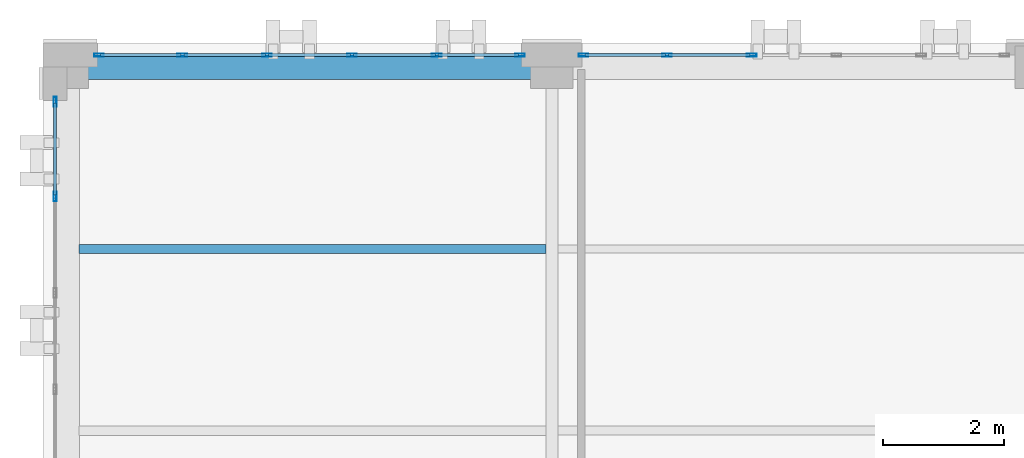
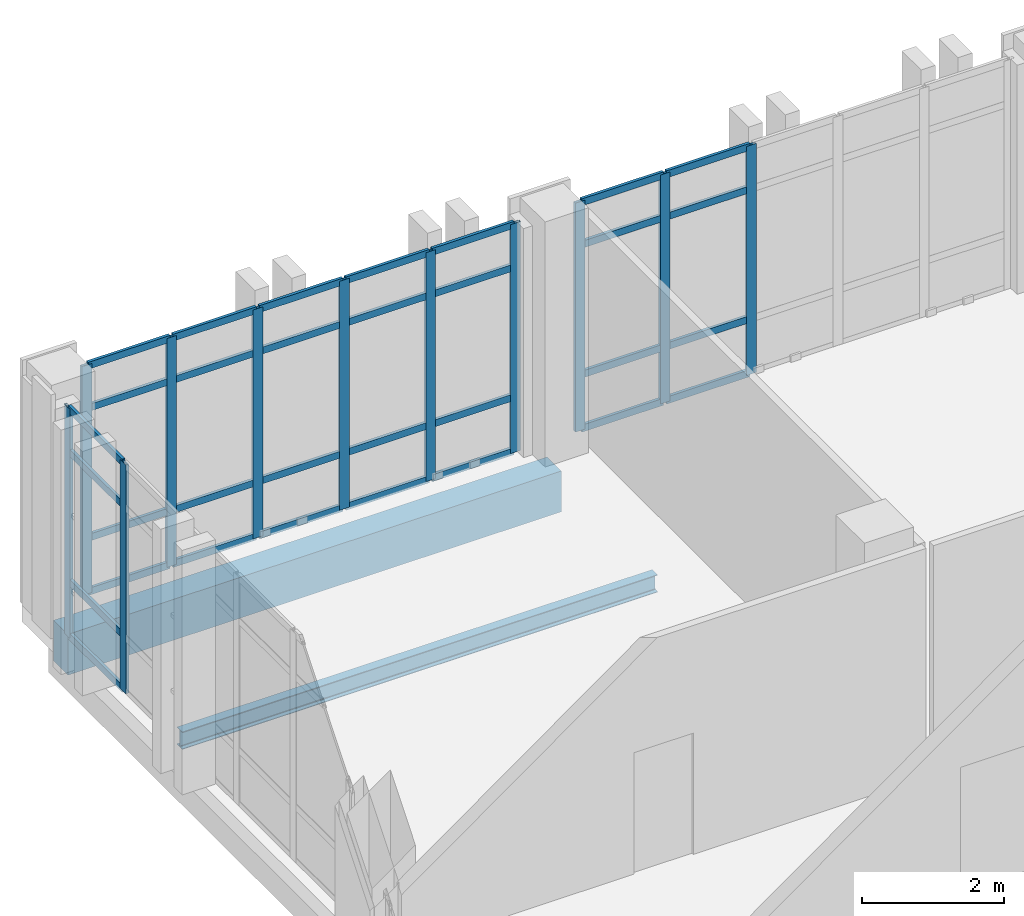
# One storey, part 87 of 158: 43 members, 2 beams, 3 elements without a shape of their own.
"""IFC4 building model written with IfcOpenShell, lengths in metres."""

from ifc_helpers import new_model, si_unit, direction, frame, origin, origin_2d, place, context, subcontext, project, spatial, rectangle, hollow_rectangle, i_section, extrude, material, layer, layer_set, material_profile, profile_set, type_object, element, aggregate, save


model = new_model("IFC4")

# Units and contexts
model_context = context("Model", 3, precision=1e-05, world=origin(), true_north=direction((0.0, 1.0)))
body_context = subcontext(model_context, "Body", "Model", "MODEL_VIEW")
ifc_project = project(units=[si_unit("LENGTHUNIT", "METRE"), si_unit("AREAUNIT", "SQUARE_METRE"), si_unit("VOLUMEUNIT", "CUBIC_METRE"), si_unit("PLANEANGLEUNIT", "RADIAN"), si_unit("MASSUNIT", "GRAM", prefix="KILO")], contexts=[model_context])

# Site, building, storey
site_placement = place(None, origin())
site = spatial("IfcSite", under=ifc_project, at=site_placement, CompositionType="ELEMENT")
building_placement = place(site_placement, origin())
building = spatial("IfcBuilding", under=site, at=building_placement, Name="Qalavern Law Courts", CompositionType="ELEMENT")
storey_placement = place(building_placement, frame((0.0, 0.0, 18.60009765625)))
storey = spatial("IfcBuildingStorey", under=building, at=storey_placement, Name="L04", CompositionType="ELEMENT", Elevation=18.60009765625)

# Curtain wall, members
ifc_material_1 = material(Name="Anodised aluminium and insulated glazing", Category="aluminium")
ifc_layer = layer(ifc_material_1, 0.166015625)
ifc_layer_set = layer_set([ifc_layer], Name="Anodised aluminium and insulated glazing")
curtain_wall_type = type_object("IfcCurtainWallType", Name="ENV-CW-LIB", PredefinedType="USERDEFINED", material=ifc_layer_set)
curtain_wall_1_placement = place(storey_placement, origin())
curtain_wall_1 = element("IfcCurtainWall", 1, at=curtain_wall_1_placement, inside=storey, type_object=curtain_wall_type, Name="V5 unitised curtain wall L04 north 6", ObjectType="UNITISED CURTAIN WALL", PredefinedType="USERDEFINED")
ifc_material_2 = material(Name="Anodised aluminium", Category="aluminium")
ifc_material_profile_1 = material_profile(ifc_material_2, hollow_rectangle(XDim=0.048095703125, YDim=0.159912109375, WallThickness=0.00390625, at=origin_2d()), Name="ALU MULLION 48x160")
ifc_profile_set_1 = profile_set([ifc_material_profile_1], Name="Anodised aluminium")
member_type_1 = type_object("IfcMemberType", Name="ENV-CWM-48x160", PredefinedType="MULLION", material=ifc_profile_set_1)
member_1_placement = place(storey_placement, frame((13.699951171875, 112.800048828125, 0.0), z_axis=(0.0, 0.0, 1.0), x_axis=(0.0, -1.0, 0.0)))
member_1 = element("IfcMember", 2, at=member_1_placement, type_object=member_type_1, Name="CW-05 mullion 4", PredefinedType="MULLION", context=body_context, shape_type="SweptSolid", body=[
    extrude(hollow_rectangle(XDim=0.048095703125, YDim=0.159912109375, WallThickness=0.00390625, at=origin_2d()), origin(), (0.0, 0.0, 1.0), 3.9248046875),
])
member_2_placement = place(storey_placement, frame((12.300048828125, 112.800048828125, 0.0), z_axis=(0.0, 0.0, 1.0), x_axis=(0.0, -1.0, 0.0)))
member_2 = element("IfcMember", 3, at=member_2_placement, type_object=member_type_1, Name="CW-05 mullion 5", PredefinedType="MULLION", context=body_context, shape_type="SweptSolid", body=[
    extrude(hollow_rectangle(XDim=0.048095703125, YDim=0.159912109375, WallThickness=0.00390625, at=origin_2d()), origin(), (0.0, 0.0, 1.0), 3.9248046875),
])
member_3_placement = place(storey_placement, frame((10.924072265625, 112.800048828125, 0.0), z_axis=(0.0, 0.0, 1.0), x_axis=(0.0, -1.0, 0.0)))
member_3 = element("IfcMember", 4, at=member_3_placement, type_object=member_type_1, Name="CW-05 mullion 6", PredefinedType="MULLION", context=body_context, shape_type="SweptSolid", body=[
    extrude(hollow_rectangle(XDim=0.048095703125, YDim=0.159912109375, WallThickness=0.00390625, at=origin_2d()), origin(), (0.0, 0.0, 1.0), 3.9248046875),
])

curtain_wall_2_placement = place(storey_placement, origin())
curtain_wall_2 = element("IfcCurtainWall", 5, at=curtain_wall_2_placement, inside=storey, type_object=curtain_wall_type, Name="V5 unitised curtain wall L04 north 7", ObjectType="UNITISED CURTAIN WALL", PredefinedType="USERDEFINED")
member_4_placement = place(storey_placement, frame((9.8759765625, 112.800048828125, 0.0), z_axis=(0.0, 0.0, 1.0), x_axis=(0.0, -1.0, 0.0)))
member_4 = element("IfcMember", 6, at=member_4_placement, type_object=member_type_1, Name="CW-05 mullion 1", PredefinedType="MULLION", context=body_context, shape_type="SweptSolid", body=[
    extrude(hollow_rectangle(XDim=0.048095703125, YDim=0.159912109375, WallThickness=0.00390625, at=origin_2d()), origin(), (0.0, 0.0, 1.0), 3.9248046875),
])
member_5_placement = place(storey_placement, frame((8.5, 112.800048828125, 0.0), z_axis=(0.0, 0.0, 1.0), x_axis=(0.0, -1.0, 0.0)))
member_5 = element("IfcMember", 7, at=member_5_placement, type_object=member_type_1, Name="CW-05 mullion 2", PredefinedType="MULLION", context=body_context, shape_type="SweptSolid", body=[
    extrude(hollow_rectangle(XDim=0.048095703125, YDim=0.159912109375, WallThickness=0.00390625, at=origin_2d()), origin(), (0.0, 0.0, 1.0), 3.9248046875),
])
member_6_placement = place(storey_placement, frame((7.10009765625, 112.800048828125, 0.0), z_axis=(0.0, 0.0, 1.0), x_axis=(0.0, -1.0, 0.0)))
member_6 = element("IfcMember", 8, at=member_6_placement, type_object=member_type_1, Name="CW-05 mullion 3", PredefinedType="MULLION", context=body_context, shape_type="SweptSolid", body=[
    extrude(hollow_rectangle(XDim=0.048095703125, YDim=0.159912109375, WallThickness=0.00390625, at=origin_2d()), origin(), (0.0, 0.0, 1.0), 3.9248046875),
])
member_7_placement = place(storey_placement, frame((5.699951171875, 112.800048828125, 0.0), z_axis=(0.0, 0.0, 1.0), x_axis=(0.0, -1.0, 0.0)))
member_7 = element("IfcMember", 9, at=member_7_placement, type_object=member_type_1, Name="CW-05 mullion 4", PredefinedType="MULLION", context=body_context, shape_type="SweptSolid", body=[
    extrude(hollow_rectangle(XDim=0.048095703125, YDim=0.159912109375, WallThickness=0.00390625, at=origin_2d()), origin(), (0.0, 0.0, 1.0), 3.9248046875),
])
member_8_placement = place(storey_placement, frame((4.300048828125, 112.800048828125, 0.0), z_axis=(0.0, 0.0, 1.0), x_axis=(0.0, -1.0, 0.0)))
member_8 = element("IfcMember", 10, at=member_8_placement, type_object=member_type_1, Name="CW-05 mullion 5", PredefinedType="MULLION", context=body_context, shape_type="SweptSolid", body=[
    extrude(hollow_rectangle(XDim=0.048095703125, YDim=0.159912109375, WallThickness=0.00390625, at=origin_2d()), origin(), (0.0, 0.0, 1.0), 3.9248046875),
])
member_9_placement = place(storey_placement, frame((2.924072265625, 112.800048828125, 0.0), z_axis=(0.0, 0.0, 1.0), x_axis=(0.0, -1.0, 0.0)))
member_9 = element("IfcMember", 11, at=member_9_placement, type_object=member_type_1, Name="CW-05 mullion 6", PredefinedType="MULLION", context=body_context, shape_type="SweptSolid", body=[
    extrude(hollow_rectangle(XDim=0.048095703125, YDim=0.159912109375, WallThickness=0.00390625, at=origin_2d()), origin(), (0.0, 0.0, 1.0), 3.9248046875),
])

curtain_wall_3_placement = place(storey_placement, origin())
curtain_wall_3 = element("IfcCurtainWall", 12, at=curtain_wall_3_placement, inside=storey, type_object=curtain_wall_type, Name="V5 unitised curtain wall L04 west 1", ObjectType="UNITISED CURTAIN WALL", PredefinedType="USERDEFINED")
member_10_placement = place(storey_placement, frame((2.199951171875, 112.031005859375, 0.0), z_axis=(0.0, 0.0, 1.0), x_axis=(1.0, 0.0, 0.0)))
member_10 = element("IfcMember", 13, at=member_10_placement, type_object=member_type_1, Name="CW-05 mullion 1", PredefinedType="MULLION", context=body_context, shape_type="SweptSolid", body=[
    extrude(hollow_rectangle(XDim=0.048095703125, YDim=0.159912109375, WallThickness=0.00390625, at=origin_2d()), origin(), (0.0, 0.0, 1.0), 3.9248046875),
])
member_11_placement = place(storey_placement, frame((2.199951171875, 110.464111328125, 0.0), z_axis=(0.0, 0.0, 1.0), x_axis=(1.0, 0.0, 0.0)))
member_11 = element("IfcMember", 14, at=member_11_placement, type_object=member_type_1, Name="CW-05 mullion 2", PredefinedType="MULLION", context=body_context, shape_type="SweptSolid", body=[
    extrude(hollow_rectangle(XDim=0.048095703125, YDim=0.159912109375, WallThickness=0.00390625, at=origin_2d()), origin(), (0.0, 0.0, 1.0), 3.9248046875),
])

# Member
ifc_material_profile_2 = material_profile(ifc_material_2, hollow_rectangle(XDim=0.048095703125, YDim=0.1201171875, WallThickness=0.00390625, at=origin_2d()), Name="ALU TRANSOM 48x120")
ifc_profile_set_2 = profile_set([ifc_material_profile_2], Name="Anodised aluminium")
member_type_2 = type_object("IfcMemberType", Name="ENV-CWT-48x120", PredefinedType="USERDEFINED", material=ifc_profile_set_2)
member_12_placement = place(storey_placement, frame((13.676025390625, 112.800048828125, 0.02392578125), z_axis=(-1.0, 0.0, 0.0), x_axis=(0.0, -1.0, 0.0)))
member_12 = element("IfcMember", 15, at=member_12_placement, type_object=member_type_2, Name="CW-05 transom 4.1", ObjectType="TRANSOM", PredefinedType="USERDEFINED", context=body_context, shape_type="SweptSolid", body=[
    extrude(hollow_rectangle(XDim=0.048095703125, YDim=0.1201171875, WallThickness=0.00390625, at=origin_2d()), origin(), (0.0, 0.0, 1.0), 1.35205078125),
])

member_13_placement = place(storey_placement, frame((13.676025390625, 112.800048828125, 0.949951171875), z_axis=(-1.0, 0.0, 0.0), x_axis=(0.0, -1.0, 0.0)))
member_13 = element("IfcMember", 16, at=member_13_placement, type_object=member_type_2, Name="CW-05 transom 4.2", ObjectType="TRANSOM", PredefinedType="USERDEFINED", context=body_context, shape_type="SweptSolid", body=[
    extrude(hollow_rectangle(XDim=0.048095703125, YDim=0.1201171875, WallThickness=0.00390625, at=origin_2d()), origin(), (0.0, 0.0, 1.0), 1.35205078125),
])

member_14_placement = place(storey_placement, frame((13.676025390625, 112.800048828125, 3.1748046875), z_axis=(-1.0, 0.0, 0.0), x_axis=(0.0, -1.0, 0.0)))
member_14 = element("IfcMember", 17, at=member_14_placement, type_object=member_type_2, Name="CW-05 transom 4.3", ObjectType="TRANSOM", PredefinedType="USERDEFINED", context=body_context, shape_type="SweptSolid", body=[
    extrude(hollow_rectangle(XDim=0.048095703125, YDim=0.1201171875, WallThickness=0.00390625, at=origin_2d()), origin(), (0.0, 0.0, 1.0), 1.35205078125),
])

member_15_placement = place(storey_placement, frame((13.676025390625, 112.800048828125, 3.90087890625), z_axis=(-1.0, 0.0, 0.0), x_axis=(0.0, -1.0, 0.0)))
member_15 = element("IfcMember", 18, at=member_15_placement, type_object=member_type_2, Name="CW-05 transom 4.4", ObjectType="TRANSOM", PredefinedType="USERDEFINED", context=body_context, shape_type="SweptSolid", body=[
    extrude(hollow_rectangle(XDim=0.048095703125, YDim=0.1201171875, WallThickness=0.00390625, at=origin_2d()), origin(), (0.0, 0.0, 1.0), 1.35205078125),
])

member_16_placement = place(storey_placement, frame((12.27587890625, 112.800048828125, 0.02392578125), z_axis=(-1.0, 0.0, 0.0), x_axis=(0.0, -1.0, 0.0)))
member_16 = element("IfcMember", 19, at=member_16_placement, type_object=member_type_2, Name="CW-05 transom 5.1", ObjectType="TRANSOM", PredefinedType="USERDEFINED", context=body_context, shape_type="SweptSolid", body=[
    extrude(hollow_rectangle(XDim=0.048095703125, YDim=0.1201171875, WallThickness=0.00390625, at=origin_2d()), origin(), (0.0, 0.0, 1.0), 1.327880859375),
])

member_17_placement = place(storey_placement, frame((12.27587890625, 112.800048828125, 0.949951171875), z_axis=(-1.0, 0.0, 0.0), x_axis=(0.0, -1.0, 0.0)))
member_17 = element("IfcMember", 20, at=member_17_placement, type_object=member_type_2, Name="CW-05 transom 5.2", ObjectType="TRANSOM", PredefinedType="USERDEFINED", context=body_context, shape_type="SweptSolid", body=[
    extrude(hollow_rectangle(XDim=0.048095703125, YDim=0.1201171875, WallThickness=0.00390625, at=origin_2d()), origin(), (0.0, 0.0, 1.0), 1.327880859375),
])

member_18_placement = place(storey_placement, frame((12.27587890625, 112.800048828125, 3.1748046875), z_axis=(-1.0, 0.0, 0.0), x_axis=(0.0, -1.0, 0.0)))
member_18 = element("IfcMember", 21, at=member_18_placement, type_object=member_type_2, Name="CW-05 transom 5.3", ObjectType="TRANSOM", PredefinedType="USERDEFINED", context=body_context, shape_type="SweptSolid", body=[
    extrude(hollow_rectangle(XDim=0.048095703125, YDim=0.1201171875, WallThickness=0.00390625, at=origin_2d()), origin(), (0.0, 0.0, 1.0), 1.327880859375),
])

member_19_placement = place(storey_placement, frame((12.27587890625, 112.800048828125, 3.90087890625), z_axis=(-1.0, 0.0, 0.0), x_axis=(0.0, -1.0, 0.0)))
member_19 = element("IfcMember", 22, at=member_19_placement, type_object=member_type_2, Name="CW-05 transom 5.4", ObjectType="TRANSOM", PredefinedType="USERDEFINED", context=body_context, shape_type="SweptSolid", body=[
    extrude(hollow_rectangle(XDim=0.048095703125, YDim=0.1201171875, WallThickness=0.00390625, at=origin_2d()), origin(), (0.0, 0.0, 1.0), 1.327880859375),
])

aggregate(curtain_wall_1, [member_1, member_2, member_3, member_12, member_13, member_14, member_15, member_16, member_17, member_18, member_19])

member_20_placement = place(storey_placement, frame((9.85205078125, 112.800048828125, 0.02392578125), z_axis=(-1.0, 0.0, 0.0), x_axis=(0.0, -1.0, 0.0)))
member_20 = element("IfcMember", 23, at=member_20_placement, type_object=member_type_2, Name="CW-05 transom 1.1", ObjectType="TRANSOM", PredefinedType="USERDEFINED", context=body_context, shape_type="SweptSolid", body=[
    extrude(hollow_rectangle(XDim=0.048095703125, YDim=0.1201171875, WallThickness=0.00390625, at=origin_2d()), origin(), (0.0, 0.0, 1.0), 1.328125),
])

member_21_placement = place(storey_placement, frame((9.85205078125, 112.800048828125, 0.949951171875), z_axis=(-1.0, 0.0, 0.0), x_axis=(0.0, -1.0, 0.0)))
member_21 = element("IfcMember", 24, at=member_21_placement, type_object=member_type_2, Name="CW-05 transom 1.2", ObjectType="TRANSOM", PredefinedType="USERDEFINED", context=body_context, shape_type="SweptSolid", body=[
    extrude(hollow_rectangle(XDim=0.048095703125, YDim=0.1201171875, WallThickness=0.00390625, at=origin_2d()), origin(), (0.0, 0.0, 1.0), 1.328125),
])

member_22_placement = place(storey_placement, frame((9.85205078125, 112.800048828125, 3.1748046875), z_axis=(-1.0, 0.0, 0.0), x_axis=(0.0, -1.0, 0.0)))
member_22 = element("IfcMember", 25, at=member_22_placement, type_object=member_type_2, Name="CW-05 transom 1.3", ObjectType="TRANSOM", PredefinedType="USERDEFINED", context=body_context, shape_type="SweptSolid", body=[
    extrude(hollow_rectangle(XDim=0.048095703125, YDim=0.1201171875, WallThickness=0.00390625, at=origin_2d()), origin(), (0.0, 0.0, 1.0), 1.328125),
])

member_23_placement = place(storey_placement, frame((9.85205078125, 112.800048828125, 3.90087890625), z_axis=(-1.0, 0.0, 0.0), x_axis=(0.0, -1.0, 0.0)))
member_23 = element("IfcMember", 26, at=member_23_placement, type_object=member_type_2, Name="CW-05 transom 1.4", ObjectType="TRANSOM", PredefinedType="USERDEFINED", context=body_context, shape_type="SweptSolid", body=[
    extrude(hollow_rectangle(XDim=0.048095703125, YDim=0.1201171875, WallThickness=0.00390625, at=origin_2d()), origin(), (0.0, 0.0, 1.0), 1.328125),
])

member_24_placement = place(storey_placement, frame((8.47607421875, 112.800048828125, 0.02392578125), z_axis=(-1.0, 0.0, 0.0), x_axis=(0.0, -1.0, 0.0)))
member_24 = element("IfcMember", 27, at=member_24_placement, type_object=member_type_2, Name="CW-05 transom 2.1", ObjectType="TRANSOM", PredefinedType="USERDEFINED", context=body_context, shape_type="SweptSolid", body=[
    extrude(hollow_rectangle(XDim=0.048095703125, YDim=0.1201171875, WallThickness=0.00390625, at=origin_2d()), origin(), (0.0, 0.0, 1.0), 1.35205078125),
])

member_25_placement = place(storey_placement, frame((8.47607421875, 112.800048828125, 0.949951171875), z_axis=(-1.0, 0.0, 0.0), x_axis=(0.0, -1.0, 0.0)))
member_25 = element("IfcMember", 28, at=member_25_placement, type_object=member_type_2, Name="CW-05 transom 2.2", ObjectType="TRANSOM", PredefinedType="USERDEFINED", context=body_context, shape_type="SweptSolid", body=[
    extrude(hollow_rectangle(XDim=0.048095703125, YDim=0.1201171875, WallThickness=0.00390625, at=origin_2d()), origin(), (0.0, 0.0, 1.0), 1.35205078125),
])

member_26_placement = place(storey_placement, frame((8.47607421875, 112.800048828125, 3.1748046875), z_axis=(-1.0, 0.0, 0.0), x_axis=(0.0, -1.0, 0.0)))
member_26 = element("IfcMember", 29, at=member_26_placement, type_object=member_type_2, Name="CW-05 transom 2.3", ObjectType="TRANSOM", PredefinedType="USERDEFINED", context=body_context, shape_type="SweptSolid", body=[
    extrude(hollow_rectangle(XDim=0.048095703125, YDim=0.1201171875, WallThickness=0.00390625, at=origin_2d()), origin(), (0.0, 0.0, 1.0), 1.35205078125),
])

member_27_placement = place(storey_placement, frame((8.47607421875, 112.800048828125, 3.90087890625), z_axis=(-1.0, 0.0, 0.0), x_axis=(0.0, -1.0, 0.0)))
member_27 = element("IfcMember", 30, at=member_27_placement, type_object=member_type_2, Name="CW-05 transom 2.4", ObjectType="TRANSOM", PredefinedType="USERDEFINED", context=body_context, shape_type="SweptSolid", body=[
    extrude(hollow_rectangle(XDim=0.048095703125, YDim=0.1201171875, WallThickness=0.00390625, at=origin_2d()), origin(), (0.0, 0.0, 1.0), 1.35205078125),
])

member_28_placement = place(storey_placement, frame((7.075927734375, 112.800048828125, 0.02392578125), z_axis=(-1.0, 0.0, 0.0), x_axis=(0.0, -1.0, 0.0)))
member_28 = element("IfcMember", 31, at=member_28_placement, type_object=member_type_2, Name="CW-05 transom 3.1", ObjectType="TRANSOM", PredefinedType="USERDEFINED", context=body_context, shape_type="SweptSolid", body=[
    extrude(hollow_rectangle(XDim=0.048095703125, YDim=0.1201171875, WallThickness=0.00390625, at=origin_2d()), origin(), (0.0, 0.0, 1.0), 1.351806640625),
])

member_29_placement = place(storey_placement, frame((7.075927734375, 112.800048828125, 0.949951171875), z_axis=(-1.0, 0.0, 0.0), x_axis=(0.0, -1.0, 0.0)))
member_29 = element("IfcMember", 32, at=member_29_placement, type_object=member_type_2, Name="CW-05 transom 3.2", ObjectType="TRANSOM", PredefinedType="USERDEFINED", context=body_context, shape_type="SweptSolid", body=[
    extrude(hollow_rectangle(XDim=0.048095703125, YDim=0.1201171875, WallThickness=0.00390625, at=origin_2d()), origin(), (0.0, 0.0, 1.0), 1.351806640625),
])

member_30_placement = place(storey_placement, frame((7.075927734375, 112.800048828125, 3.1748046875), z_axis=(-1.0, 0.0, 0.0), x_axis=(0.0, -1.0, 0.0)))
member_30 = element("IfcMember", 33, at=member_30_placement, type_object=member_type_2, Name="CW-05 transom 3.3", ObjectType="TRANSOM", PredefinedType="USERDEFINED", context=body_context, shape_type="SweptSolid", body=[
    extrude(hollow_rectangle(XDim=0.048095703125, YDim=0.1201171875, WallThickness=0.00390625, at=origin_2d()), origin(), (0.0, 0.0, 1.0), 1.351806640625),
])

member_31_placement = place(storey_placement, frame((7.075927734375, 112.800048828125, 3.90087890625), z_axis=(-1.0, 0.0, 0.0), x_axis=(0.0, -1.0, 0.0)))
member_31 = element("IfcMember", 34, at=member_31_placement, type_object=member_type_2, Name="CW-05 transom 3.4", ObjectType="TRANSOM", PredefinedType="USERDEFINED", context=body_context, shape_type="SweptSolid", body=[
    extrude(hollow_rectangle(XDim=0.048095703125, YDim=0.1201171875, WallThickness=0.00390625, at=origin_2d()), origin(), (0.0, 0.0, 1.0), 1.351806640625),
])

member_32_placement = place(storey_placement, frame((5.676025390625, 112.800048828125, 0.02392578125), z_axis=(-1.0, 0.0, 0.0), x_axis=(0.0, -1.0, 0.0)))
member_32 = element("IfcMember", 35, at=member_32_placement, type_object=member_type_2, Name="CW-05 transom 4.1", ObjectType="TRANSOM", PredefinedType="USERDEFINED", context=body_context, shape_type="SweptSolid", body=[
    extrude(hollow_rectangle(XDim=0.048095703125, YDim=0.1201171875, WallThickness=0.00390625, at=origin_2d()), origin(), (0.0, 0.0, 1.0), 1.35205078125),
])

member_33_placement = place(storey_placement, frame((5.676025390625, 112.800048828125, 0.949951171875), z_axis=(-1.0, 0.0, 0.0), x_axis=(0.0, -1.0, 0.0)))
member_33 = element("IfcMember", 36, at=member_33_placement, type_object=member_type_2, Name="CW-05 transom 4.2", ObjectType="TRANSOM", PredefinedType="USERDEFINED", context=body_context, shape_type="SweptSolid", body=[
    extrude(hollow_rectangle(XDim=0.048095703125, YDim=0.1201171875, WallThickness=0.00390625, at=origin_2d()), origin(), (0.0, 0.0, 1.0), 1.35205078125),
])

member_34_placement = place(storey_placement, frame((5.676025390625, 112.800048828125, 3.1748046875), z_axis=(-1.0, 0.0, 0.0), x_axis=(0.0, -1.0, 0.0)))
member_34 = element("IfcMember", 37, at=member_34_placement, type_object=member_type_2, Name="CW-05 transom 4.3", ObjectType="TRANSOM", PredefinedType="USERDEFINED", context=body_context, shape_type="SweptSolid", body=[
    extrude(hollow_rectangle(XDim=0.048095703125, YDim=0.1201171875, WallThickness=0.00390625, at=origin_2d()), origin(), (0.0, 0.0, 1.0), 1.35205078125),
])

member_35_placement = place(storey_placement, frame((5.676025390625, 112.800048828125, 3.90087890625), z_axis=(-1.0, 0.0, 0.0), x_axis=(0.0, -1.0, 0.0)))
member_35 = element("IfcMember", 38, at=member_35_placement, type_object=member_type_2, Name="CW-05 transom 4.4", ObjectType="TRANSOM", PredefinedType="USERDEFINED", context=body_context, shape_type="SweptSolid", body=[
    extrude(hollow_rectangle(XDim=0.048095703125, YDim=0.1201171875, WallThickness=0.00390625, at=origin_2d()), origin(), (0.0, 0.0, 1.0), 1.35205078125),
])

member_36_placement = place(storey_placement, frame((4.27587890625, 112.800048828125, 0.02392578125), z_axis=(-1.0, 0.0, 0.0), x_axis=(0.0, -1.0, 0.0)))
member_36 = element("IfcMember", 39, at=member_36_placement, type_object=member_type_2, Name="CW-05 transom 5.1", ObjectType="TRANSOM", PredefinedType="USERDEFINED", context=body_context, shape_type="SweptSolid", body=[
    extrude(hollow_rectangle(XDim=0.048095703125, YDim=0.1201171875, WallThickness=0.00390625, at=origin_2d()), origin(), (0.0, 0.0, 1.0), 1.327880859375),
])

member_37_placement = place(storey_placement, frame((4.27587890625, 112.800048828125, 0.949951171875), z_axis=(-1.0, 0.0, 0.0), x_axis=(0.0, -1.0, 0.0)))
member_37 = element("IfcMember", 40, at=member_37_placement, type_object=member_type_2, Name="CW-05 transom 5.2", ObjectType="TRANSOM", PredefinedType="USERDEFINED", context=body_context, shape_type="SweptSolid", body=[
    extrude(hollow_rectangle(XDim=0.048095703125, YDim=0.1201171875, WallThickness=0.00390625, at=origin_2d()), origin(), (0.0, 0.0, 1.0), 1.327880859375),
])

member_38_placement = place(storey_placement, frame((4.27587890625, 112.800048828125, 3.1748046875), z_axis=(-1.0, 0.0, 0.0), x_axis=(0.0, -1.0, 0.0)))
member_38 = element("IfcMember", 41, at=member_38_placement, type_object=member_type_2, Name="CW-05 transom 5.3", ObjectType="TRANSOM", PredefinedType="USERDEFINED", context=body_context, shape_type="SweptSolid", body=[
    extrude(hollow_rectangle(XDim=0.048095703125, YDim=0.1201171875, WallThickness=0.00390625, at=origin_2d()), origin(), (0.0, 0.0, 1.0), 1.327880859375),
])

member_39_placement = place(storey_placement, frame((4.27587890625, 112.800048828125, 3.90087890625), z_axis=(-1.0, 0.0, 0.0), x_axis=(0.0, -1.0, 0.0)))
member_39 = element("IfcMember", 42, at=member_39_placement, type_object=member_type_2, Name="CW-05 transom 5.4", ObjectType="TRANSOM", PredefinedType="USERDEFINED", context=body_context, shape_type="SweptSolid", body=[
    extrude(hollow_rectangle(XDim=0.048095703125, YDim=0.1201171875, WallThickness=0.00390625, at=origin_2d()), origin(), (0.0, 0.0, 1.0), 1.327880859375),
])

aggregate(curtain_wall_2, [member_4, member_5, member_6, member_7, member_8, member_9, member_20, member_21, member_22, member_23, member_24, member_25, member_26, member_27, member_28, member_29, member_30, member_31, member_32, member_33, member_34, member_35, member_36, member_37, member_38, member_39])

member_40_placement = place(storey_placement, frame((2.199951171875, 112.007080078125, 0.02392578125), z_axis=(0.0, -1.0, 0.0), x_axis=(1.0, 0.0, 0.0)))
member_40 = element("IfcMember", 43, at=member_40_placement, type_object=member_type_2, Name="CW-05 transom 1.1", ObjectType="TRANSOM", PredefinedType="USERDEFINED", context=body_context, shape_type="SweptSolid", body=[
    extrude(hollow_rectangle(XDim=0.048095703125, YDim=0.1201171875, WallThickness=0.00390625, at=origin_2d()), origin(), (0.0, 0.0, 1.0), 1.51904296875),
])

member_41_placement = place(storey_placement, frame((2.199951171875, 112.007080078125, 0.949951171875), z_axis=(0.0, -1.0, 0.0), x_axis=(1.0, 0.0, 0.0)))
member_41 = element("IfcMember", 44, at=member_41_placement, type_object=member_type_2, Name="CW-05 transom 1.2", ObjectType="TRANSOM", PredefinedType="USERDEFINED", context=body_context, shape_type="SweptSolid", body=[
    extrude(hollow_rectangle(XDim=0.048095703125, YDim=0.1201171875, WallThickness=0.00390625, at=origin_2d()), origin(), (0.0, 0.0, 1.0), 1.51904296875),
])

member_42_placement = place(storey_placement, frame((2.199951171875, 112.007080078125, 3.1748046875), z_axis=(0.0, -1.0, 0.0), x_axis=(1.0, 0.0, 0.0)))
member_42 = element("IfcMember", 45, at=member_42_placement, type_object=member_type_2, Name="CW-05 transom 1.3", ObjectType="TRANSOM", PredefinedType="USERDEFINED", context=body_context, shape_type="SweptSolid", body=[
    extrude(hollow_rectangle(XDim=0.048095703125, YDim=0.1201171875, WallThickness=0.00390625, at=origin_2d()), origin(), (0.0, 0.0, 1.0), 1.51904296875),
])

member_43_placement = place(storey_placement, frame((2.199951171875, 112.007080078125, 3.90087890625), z_axis=(0.0, -1.0, 0.0), x_axis=(1.0, 0.0, 0.0)))
member_43 = element("IfcMember", 46, at=member_43_placement, type_object=member_type_2, Name="CW-05 transom 1.4", ObjectType="TRANSOM", PredefinedType="USERDEFINED", context=body_context, shape_type="SweptSolid", body=[
    extrude(hollow_rectangle(XDim=0.048095703125, YDim=0.1201171875, WallThickness=0.00390625, at=origin_2d()), origin(), (0.0, 0.0, 1.0), 1.51904296875),
])

aggregate(curtain_wall_3, [member_10, member_11, member_40, member_41, member_42, member_43])

# Beams
ifc_material_3 = material(Name="Steel S355", Category="steel")
ifc_material_profile_3 = material_profile(ifc_material_3, i_section(OverallWidth=0.14990234375, OverallDepth=0.300048828125, WebThickness=0.007080078125, FlangeThickness=0.0107421875, FilletRadius=0.014892578125, at=origin_2d()), Name="IPE 300")
ifc_profile_set_3 = profile_set([ifc_material_profile_3], Name="Steel S355")
beam_type_1 = type_object("IfcBeamType", Name="STR-JST-IPE300", PredefinedType="JOIST", material=ifc_profile_set_3)
beam_1_placement = place(storey_placement, frame((2.597900390625, 109.60009765625, -0.43017578125), z_axis=(1.0, 0.0, 0.0), x_axis=(0.0, 1.0, 0.0)))
element("IfcBeam", 47, at=beam_1_placement, inside=storey, type_object=beam_type_1, Name="V5 secondary joist 1.2.2 L04", PredefinedType="JOIST", context=body_context, shape_type="SweptSolid", body=[
    extrude(i_section(OverallWidth=0.14990234375, OverallDepth=0.300048828125, WebThickness=0.007080078125, FlangeThickness=0.0107421875, FilletRadius=0.014892578125, at=origin_2d()), origin(), (0.0, 0.0, 1.0), 7.7041015625),
])
ifc_material_4 = material(Name="Concrete C40/50", Category="concrete")
ifc_material_profile_4 = material_profile(ifc_material_4, rectangle(XDim=0.39990234375, YDim=0.699951171875, at=origin_2d()), Name="RC 400x700")
ifc_profile_set_4 = profile_set([ifc_material_profile_4], Name="Concrete C40/50")
beam_type_2 = type_object("IfcBeamType", Name="STR-SP-RC400x700", PredefinedType="SPANDREL", material=ifc_profile_set_4)
beam_2_placement = place(storey_placement, frame((2.39990234375, 112.60009765625, -0.630126953125), z_axis=(1.0, 0.0, 0.0), x_axis=(0.0, 1.0, 0.0)))
element("IfcBeam", 48, at=beam_2_placement, inside=storey, type_object=beam_type_2, Name="V5 X-beam 3-1 L04", PredefinedType="SPANDREL", context=body_context, shape_type="SweptSolid", body=[
    extrude(rectangle(XDim=0.39990234375, YDim=0.699951171875, at=origin_2d()), origin(), (0.0, 0.0, 1.0), 8.0),
])

save(model, "model.ifc")
